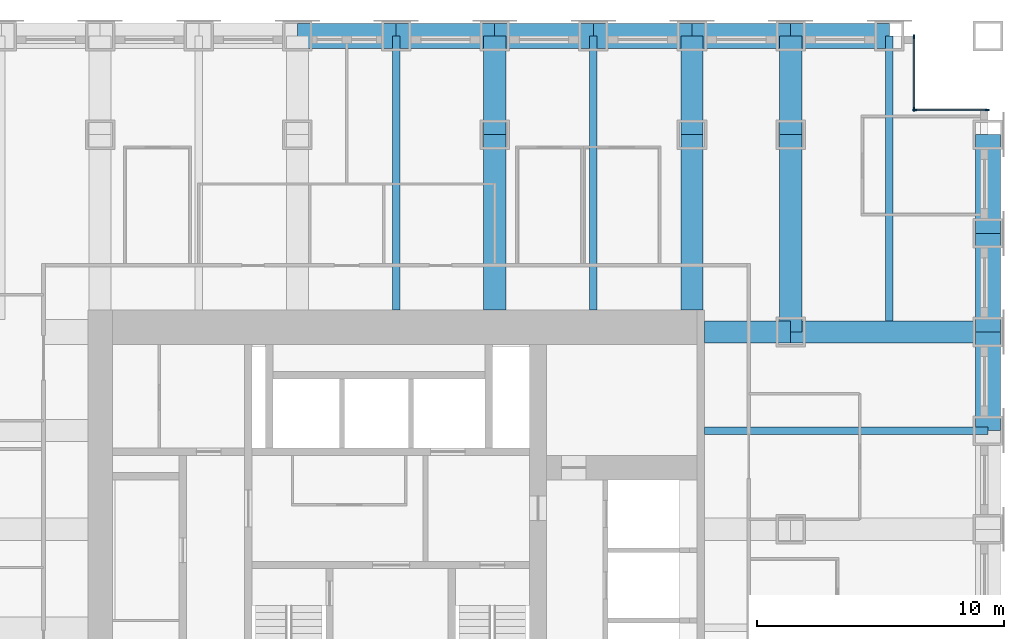
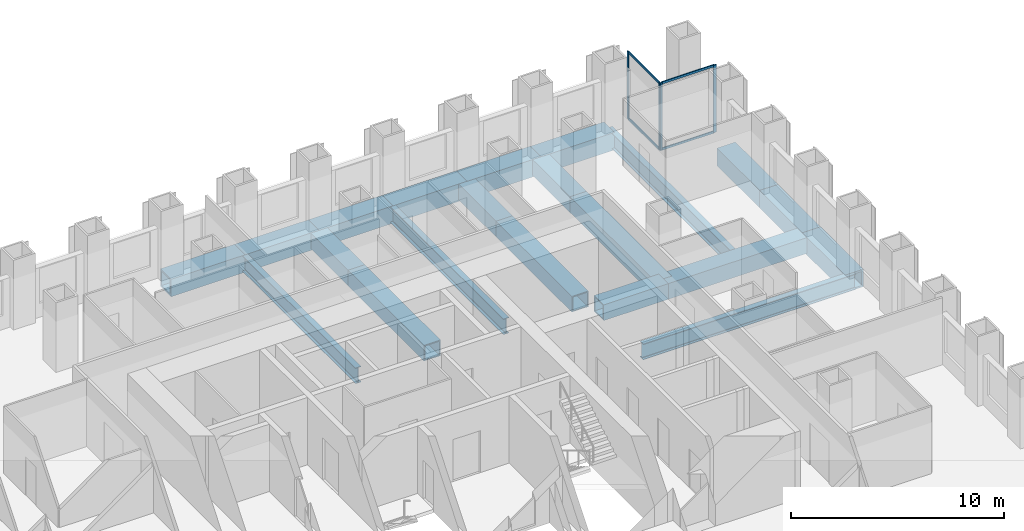
# One storey, part 6 of 14: 21 beams, 8 members, 2 elements without a shape of their own.
"""IFC4 building model written with IfcOpenShell, lengths in metres."""

import ifcopenshell
import ifcopenshell.guid

model = None  # the IFC model being written
_history = None  # IfcOwnerHistory: only IFC2X3 demands one
_inside = {}  # id of a spatial element -> (the spatial element, [elements in it])
_under = {}  # id of a project, library or spatial element -> (it, [spatial elements below it])
_declared = {}  # id of a project -> (the project, [libraries it declares])
_typed = {}  # id of a type object -> (the type object, [elements of that type])
_made_of = {}  # id of a material, layer set ... -> (it, [elements and type objects made of it])


def new_model(schema):
    """Start an empty IFC model of exactly this schema.

    Asked for "IFC4X3", IfcOpenShell would pick the latest addendum, in which some entities
    have other attributes; the version numbers below select the first issue.
    IFC2X3 requires an IfcOwnerHistory on every rooted entity: one is made here for all.
    """
    global model, _history
    if schema == "IFC4X3":
        model = ifcopenshell.file(schema_version=(4, 3, 0, 0))
    else:
        model = ifcopenshell.file(schema=schema)
    _inside.clear()
    _under.clear()
    _declared.clear()
    _typed.clear()
    _made_of.clear()
    _history = None
    if model.schema == "IFC2X3":
        org = make("IfcOrganization", Name="unknown")
        user = make(
            "IfcPersonAndOrganization",
            ThePerson=make("IfcPerson", FamilyName="unknown"),
            TheOrganization=org,
        )
        app = make(
            "IfcApplication",
            ApplicationDeveloper=org,
            Version="unknown",
            ApplicationFullName="unknown",
            ApplicationIdentifier="unknown",
        )
        _history = make(
            "IfcOwnerHistory",
            OwningUser=user,
            OwningApplication=app,
            ChangeAction="ADDED",
            CreationDate=0,
        )
    return model


def make(cls, **values):
    """One entity of the class cls with the attributes given. An attribute that is None is left unset."""
    return model.create_entity(
        cls, **{name: value for name, value in values.items() if value is not None}
    )


def rooted(cls, **values):
    """An entity with a GlobalId (a new one), such as an element, a storey or a relation."""
    return make(cls, GlobalId=ifcopenshell.guid.new(), OwnerHistory=_history, **values)


def si_unit(unit_type, name, prefix=None):
    """IfcSIUnit, for example si_unit("LENGTHUNIT", "METRE", prefix="MILLI")."""
    return make("IfcSIUnit", UnitType=unit_type, Prefix=prefix, Name=name)


def assignment(units):
    """IfcUnitAssignment: the units of a project."""
    return None if units is None else make("IfcUnitAssignment", Units=units)


def point(xyz):
    """IfcCartesianPoint."""
    return None if xyz is None else make("IfcCartesianPoint", Coordinates=xyz)


def direction(xyz):
    """IfcDirection."""
    return None if xyz is None else make("IfcDirection", DirectionRatios=xyz)


def frame(location, z_axis=None, x_axis=None):
    """IfcAxis2Placement3D, a coordinate frame: its origin and axes. An axis left out is left unset."""
    return make(
        "IfcAxis2Placement3D",
        Location=point(location),
        Axis=direction(z_axis),
        RefDirection=direction(x_axis),
    )


def frame_2d(location, x_axis=None):
    """IfcAxis2Placement2D, a coordinate frame in the plane: its origin and x axis."""
    return make(
        "IfcAxis2Placement2D", Location=point(location), RefDirection=direction(x_axis)
    )


def origin():
    """The frame at (0, 0, 0) with its axes left unset."""
    return frame((0.0, 0.0, 0.0))


def origin_2d():
    """The frame at (0, 0) in the plane with its x axis left unset."""
    return frame_2d((0.0, 0.0))


def place(relative_to, where):
    """IfcLocalPlacement: puts the frame where relative to a parent placement (None: the world)."""
    return make(
        "IfcLocalPlacement", PlacementRelTo=relative_to, RelativePlacement=where
    )


def context(
    kind, dimensions, precision=None, world=None, true_north=None, identifier=None
):
    """IfcGeometricRepresentationContext, for example the 3D "Model" context."""
    return make(
        "IfcGeometricRepresentationContext",
        ContextIdentifier=identifier,
        ContextType=kind,
        CoordinateSpaceDimension=dimensions,
        Precision=precision,
        WorldCoordinateSystem=world,
        TrueNorth=true_north,
    )


def subcontext(parent, identifier, kind, view, scale=None):
    """IfcGeometricRepresentationSubContext, for example "Body" below "Model"."""
    return make(
        "IfcGeometricRepresentationSubContext",
        ContextIdentifier=identifier,
        ContextType=kind,
        ParentContext=parent,
        TargetScale=scale,
        TargetView=view,
    )


def project(units=None, contexts=None):
    """IfcProject with its units and contexts."""
    return rooted(
        "IfcProject",
        Name="project",
        RepresentationContexts=contexts,
        UnitsInContext=assignment(units),
    )


def spatial(cls, under=None, at=None, **own):
    """A site, building, storey or space (cls), placed at a placement, below another one or the project."""
    s = rooted(cls, ObjectPlacement=at, **own)
    if under is not None:
        _under.setdefault(under.id(), (under, []))[1].append(s)
    return s


def profile(cls, at=None, kind="AREA", **sizes):
    """A parametric profile (cls). Its sizes go by their IFC names, for example OverallWidth=200.0."""
    return make(cls, ProfileType=kind, Position=at, **sizes)


def rectangle(**sizes):
    """IfcRectangleProfileDef."""
    return profile("IfcRectangleProfileDef", **sizes)


def hollow_rectangle(**sizes):
    """IfcRectangleHollowProfileDef."""
    return profile("IfcRectangleHollowProfileDef", **sizes)


def i_section(**sizes):
    """IfcIShapeProfileDef."""
    return profile("IfcIShapeProfileDef", **sizes)


def extrude(swept, where, along, depth):
    """IfcExtrudedAreaSolid: the profile swept, set in the frame where, extruded along a direction by depth."""
    return make(
        "IfcExtrudedAreaSolid",
        SweptArea=swept,
        Position=where,
        ExtrudedDirection=direction(along),
        Depth=depth,
    )


def shape(context_of_items, identifier, shape_type, items):
    """IfcShapeRepresentation: the items that make up one representation, for example the "Body"."""
    return make(
        "IfcShapeRepresentation",
        ContextOfItems=context_of_items,
        RepresentationIdentifier=identifier,
        RepresentationType=shape_type,
        Items=items,
    )


def material(Name=None, Category=None):
    """IfcMaterial."""
    return make("IfcMaterial", Name=Name, Category=Category)


def material_profile(
    of_material, cross_section, Name=None, Category=None, Priority=None
):
    """IfcMaterialProfile: a cross section and its material."""
    return make(
        "IfcMaterialProfile",
        Name=Name,
        Material=of_material,
        Profile=cross_section,
        Priority=Priority,
        Category=Category,
    )


def profile_set(profiles, Name=None, composite=None):
    """IfcMaterialProfileSet."""
    return make(
        "IfcMaterialProfileSet",
        Name=Name,
        MaterialProfiles=profiles,
        CompositeProfile=composite,
    )


def made_of(thing, what):
    """Note that an element or type object is made of a material, layer set ...; save() writes the relation."""
    if what is not None:
        _made_of.setdefault(what.id(), (what, []))[1].append(thing)
    return thing


def type_object(cls, material=None, **own):
    """A type object (cls), such as IfcWallType, which elements share."""
    return made_of(rooted(cls, **own), material)


def element(
    cls,
    number,
    at=None,
    inside=None,
    cuts=None,
    type_object=None,
    material=None,
    context=None,
    identifier="Body",
    shape_type=None,
    held_by="IfcProductDefinitionShape",
    body=None,
    shapes=None,
    **own,
):
    """One element of the class cls, such as IfcWall. Its Tag is "e" and its number.

    at: its placement. inside: the storey or other place that contains it. cuts: it is an
    opening in that element (IfcRelVoidsElement). A single representation is given by context,
    identifier, shape_type and body (its items); several are given by shapes. held_by: the class
    of the entity that holds the representations. save() writes the other relations.
    """
    e = rooted(cls, Tag="e%d" % number, ObjectPlacement=at, **own)
    if body is not None:
        shapes = [shape(context, identifier, shape_type, body)]
    if shapes is not None:
        e.Representation = make(held_by, Representations=shapes)
    if inside is not None:
        _inside.setdefault(inside.id(), (inside, []))[1].append(e)
    if cuts is not None:
        rooted(
            "IfcRelVoidsElement", RelatingBuildingElement=cuts, RelatedOpeningElement=e
        )
    if type_object is not None:
        _typed.setdefault(type_object.id(), (type_object, []))[1].append(e)
    return made_of(e, material)


def aggregate(whole, parts):
    """IfcRelAggregates: a whole, such as a stair, and the parts it consists of."""
    return rooted("IfcRelAggregates", RelatingObject=whole, RelatedObjects=parts)


def save(model, path):
    """Write the relations noted so far, then the file.

    IfcRelAggregates (storeys below a building ...), IfcRelContainedInSpatialStructure (elements
    in a storey), IfcRelDefinesByType, IfcRelAssociatesMaterial and IfcRelDeclares: one each for
    every whole, place, type object, material and project.
    """
    for whole, parts in _under.values():
        aggregate(whole, parts)
    for where, things in _inside.values():
        rooted(
            "IfcRelContainedInSpatialStructure",
            RelatedElements=things,
            RelatingStructure=where,
        )
    for kind, things in _typed.values():
        rooted("IfcRelDefinesByType", RelatedObjects=things, RelatingType=kind)
    for what, things in _made_of.values():
        rooted("IfcRelAssociatesMaterial", RelatedObjects=things, RelatingMaterial=what)
    for by, libraries in _declared.values():
        rooted("IfcRelDeclares", RelatingContext=by, RelatedDefinitions=libraries)
    model.write(path)


model = new_model("IFC4")

# Units and contexts
model_context = context("Model", 3, precision=1e-05, world=origin(), true_north=direction((0.0, 1.0)))
body_context = subcontext(model_context, "Body", "Model", "MODEL_VIEW")
ifc_project = project(units=[si_unit("LENGTHUNIT", "METRE"), si_unit("AREAUNIT", "SQUARE_METRE"), si_unit("VOLUMEUNIT", "CUBIC_METRE"), si_unit("PLANEANGLEUNIT", "RADIAN"), si_unit("MASSUNIT", "GRAM", prefix="KILO")], contexts=[model_context])

# Site, building, storey
site_placement = place(None, origin())
site = spatial("IfcSite", under=ifc_project, at=site_placement, CompositionType="ELEMENT")
building_placement = place(site_placement, origin())
building = spatial("IfcBuilding", under=site, at=building_placement, Name="Rimbunsela Tower", CompositionType="ELEMENT")
storey_placement = place(building_placement, frame((0.0, 0.0, 59.0)))
storey = spatial("IfcBuildingStorey", under=building, at=storey_placement, Name="L14", CompositionType="ELEMENT", Elevation=59.0)

# Beams
ifc_material_1 = material(Name="Steel BJ 55 (fy 410 MPa)", Category="steel")
ifc_material_profile_1 = material_profile(ifc_material_1, hollow_rectangle(XDim=1.0, YDim=1.0, WallThickness=0.10009765625, at=origin_2d()), Name="BOX 1000x1000x100")
ifc_profile_set_1 = profile_set([ifc_material_profile_1], Name="Steel BJ 55 (fy 410 MPa)")
beam_type_1 = type_object("IfcBeamType", Name="Beam BOX 1000x1000x100", PredefinedType="BEAM", material=ifc_profile_set_1)
for number, where, z_axis, x_axis, name in (
    (1, (26.0, 48.0, -0.64990234375), (1.0, 0.0, 0.0), (0.0, 1.0, 0.0), "Beam B3 L14"),
    (2, (30.0, 48.0, -0.64990234375), (1.0, 0.0, 0.0), (0.0, 1.0, 0.0), "Beam B3 L14"),
    (3, (34.0, 48.0, -0.64990234375), (1.0, 0.0, 0.0), (0.0, 1.0, 0.0), "Beam B3 L14"),
    (4, (38.0, 48.0, -0.64990234375), (1.0, 0.0, 0.0), (0.0, 1.0, 0.0), "Beam B3 L14"),
    (5, (42.0, 48.0, -0.64990234375), (1.0, 0.0, 0.0), (0.0, 1.0, 0.0), "Beam B3 L14"),
    (6, (46.0, 48.0, -0.64990234375), (1.0, 0.0, 0.0), (0.0, 1.0, 0.0), "Beam B3 L14"),
    (7, (54.0, 32.0, -0.64990234375), (0.0, 1.0, 0.0), (-1.0, 0.0, 0.0), "Beam B3 L14"),
    (8, (54.0, 36.0, -0.64990234375), (0.0, 1.0, 0.0), (-1.0, 0.0, 0.0), "Beam B3 L14"),
    (9, (54.0, 40.0, -0.64990234375), (0.0, 1.0, 0.0), (-1.0, 0.0, 0.0), "Beam B3 L14"),
):
    element("IfcBeam", number, at=place(storey_placement, frame(where, z_axis=z_axis, x_axis=x_axis)), inside=storey, type_object=beam_type_1, Name=name, PredefinedType="BEAM", context=body_context, shape_type="SweptSolid", body=[
        extrude(hollow_rectangle(XDim=1.0, YDim=1.0, WallThickness=0.10009765625, at=origin_2d()), origin(), (0.0, 0.0, 1.0), 4.0),
    ])
ifc_material_2 = material(Name="Steel BJ 55 (fy 410 MPa)", Category="steel")
ifc_material_profile_2 = material_profile(ifc_material_2, hollow_rectangle(XDim=0.89990234375, YDim=0.89990234375, WallThickness=0.06005859375, at=origin_2d()), Name="BOX 900x900x60")
ifc_profile_set_2 = profile_set([ifc_material_profile_2], Name="Steel BJ 55 (fy 410 MPa)")
beam_type_2 = type_object("IfcBeamType", Name="Beam BOX 900x900x60", PredefinedType="BEAM", material=ifc_profile_set_2)
beam_1_placement = place(storey_placement, frame((34.0, 36.89990234375, -0.60009765625), z_axis=(0.0, 1.0, 0.0), x_axis=(-1.0, 0.0, 0.0)))
element("IfcBeam", 10, at=beam_1_placement, inside=storey, type_object=beam_type_2, Name="Beam B1 L14", PredefinedType="BEAM", context=body_context, shape_type="SweptSolid", body=[
    extrude(hollow_rectangle(XDim=0.89990234375, YDim=0.89990234375, WallThickness=0.06005859375, at=origin_2d()), origin(), (0.0, 0.0, 1.0), 7.10009765625),
])
beam_2_placement = place(storey_placement, frame((34.0, 44.0, -0.60009765625), z_axis=(0.0, 1.0, 0.0), x_axis=(-1.0, 0.0, 0.0)))
element("IfcBeam", 11, at=beam_2_placement, inside=storey, type_object=beam_type_2, Name="Beam B1 L14", PredefinedType="BEAM", context=body_context, shape_type="SweptSolid", body=[
    extrude(hollow_rectangle(XDim=0.89990234375, YDim=0.89990234375, WallThickness=0.06005859375, at=origin_2d()), origin(), (0.0, 0.0, 1.0), 4.0),
])
beam_3_placement = place(storey_placement, frame((42.0, 36.89990234375, -0.60009765625), z_axis=(0.0, 1.0, 0.0), x_axis=(-1.0, 0.0, 0.0)))
element("IfcBeam", 12, at=beam_3_placement, inside=storey, type_object=beam_type_2, Name="Beam B1 L14", PredefinedType="BEAM", context=body_context, shape_type="SweptSolid", body=[
    extrude(hollow_rectangle(XDim=0.89990234375, YDim=0.89990234375, WallThickness=0.06005859375, at=origin_2d()), origin(), (0.0, 0.0, 1.0), 7.10009765625),
])
beam_4_placement = place(storey_placement, frame((42.0, 44.0, -0.60009765625), z_axis=(0.0, 1.0, 0.0), x_axis=(-1.0, 0.0, 0.0)))
element("IfcBeam", 13, at=beam_4_placement, inside=storey, type_object=beam_type_2, Name="Beam B1 L14", PredefinedType="BEAM", context=body_context, shape_type="SweptSolid", body=[
    extrude(hollow_rectangle(XDim=0.89990234375, YDim=0.89990234375, WallThickness=0.06005859375, at=origin_2d()), origin(), (0.0, 0.0, 1.0), 4.0),
])
beam_5_placement = place(storey_placement, frame((42.5, 36.0, -0.60009765625), z_axis=(1.0, 0.0, 0.0), x_axis=(0.0, 1.0, 0.0)))
element("IfcBeam", 14, at=beam_5_placement, inside=storey, type_object=beam_type_2, Name="Beam B1 L14", PredefinedType="BEAM", context=body_context, shape_type="SweptSolid", body=[
    extrude(hollow_rectangle(XDim=0.89990234375, YDim=0.89990234375, WallThickness=0.06005859375, at=origin_2d()), origin(), (0.0, 0.0, 1.0), 3.5),
])
for number, where, z_axis, x_axis, name in (
    (15, (46.0, 36.0, -0.60009765625), (0.0, 1.0, 0.0), (-1.0, 0.0, 0.0), "Beam B1 L14"),
    (16, (46.0, 36.0, -0.60009765625), (1.0, 0.0, 0.0), (0.0, 1.0, 0.0), "Beam B1 L14"),
):
    element("IfcBeam", number, at=place(storey_placement, frame(where, z_axis=z_axis, x_axis=x_axis)), inside=storey, type_object=beam_type_2, Name=name, PredefinedType="BEAM", context=body_context, shape_type="SweptSolid", body=[
        extrude(hollow_rectangle(XDim=0.89990234375, YDim=0.89990234375, WallThickness=0.06005859375, at=origin_2d()), origin(), (0.0, 0.0, 1.0), 8.0),
    ])
beam_6_placement = place(storey_placement, frame((46.0, 44.0, -0.60009765625), z_axis=(0.0, 1.0, 0.0), x_axis=(-1.0, 0.0, 0.0)))
element("IfcBeam", 17, at=beam_6_placement, inside=storey, type_object=beam_type_2, Name="Beam B1 L14", PredefinedType="BEAM", context=body_context, shape_type="SweptSolid", body=[
    extrude(hollow_rectangle(XDim=0.89990234375, YDim=0.89990234375, WallThickness=0.06005859375, at=origin_2d()), origin(), (0.0, 0.0, 1.0), 4.0),
])
ifc_material_3 = material(Name="Steel BJ 55 (fy 410 MPa)", Category="steel")
ifc_material_profile_3 = material_profile(ifc_material_3, i_section(OverallWidth=0.300048828125, OverallDepth=0.89990234375, WebThickness=0.01611328125, FlangeThickness=0.028076171875, FilletRadius=0.028076171875, at=origin_2d()), Name="H 900x300x16x28")
ifc_profile_set_3 = profile_set([ifc_material_profile_3], Name="Steel BJ 55 (fy 410 MPa)")
beam_type_3 = type_object("IfcBeamType", Name="Beam H 900x300x16x28", PredefinedType="BEAM", material=ifc_profile_set_3)
for number, where, z_axis, x_axis, name in (
    (18, (30.0, 36.89990234375, -0.60009765625), (0.0, 1.0, 0.0), (-1.0, 0.0, 0.0), "Beam B2 L14"),
    (19, (38.0, 36.89990234375, -0.60009765625), (0.0, 1.0, 0.0), (-1.0, 0.0, 0.0), "Beam B2 L14"),
):
    element("IfcBeam", number, at=place(storey_placement, frame(where, z_axis=z_axis, x_axis=x_axis)), inside=storey, type_object=beam_type_3, Name=name, PredefinedType="BEAM", context=body_context, shape_type="SweptSolid", body=[
        extrude(i_section(OverallWidth=0.300048828125, OverallDepth=0.89990234375, WebThickness=0.01611328125, FlangeThickness=0.028076171875, FilletRadius=0.028076171875, at=origin_2d()), origin(), (0.0, 0.0, 1.0), 11.10009765625),
    ])
beam_7_placement = place(storey_placement, frame((42.5, 32.0, -0.60009765625), z_axis=(1.0, 0.0, 0.0), x_axis=(0.0, 1.0, 0.0)))
element("IfcBeam", 20, at=beam_7_placement, inside=storey, type_object=beam_type_3, Name="Beam B2 L14", PredefinedType="BEAM", context=body_context, shape_type="SweptSolid", body=[
    extrude(i_section(OverallWidth=0.300048828125, OverallDepth=0.89990234375, WebThickness=0.01611328125, FlangeThickness=0.028076171875, FilletRadius=0.028076171875, at=origin_2d()), origin(), (0.0, 0.0, 1.0), 11.5),
])
beam_8_placement = place(storey_placement, frame((50.0, 36.449951171875, -0.60009765625), z_axis=(0.0, 1.0, 0.0), x_axis=(-1.0, 0.0, 0.0)))
element("IfcBeam", 21, at=beam_8_placement, inside=storey, type_object=beam_type_3, Name="Beam B2 L14", PredefinedType="BEAM", context=body_context, shape_type="SweptSolid", body=[
    extrude(i_section(OverallWidth=0.300048828125, OverallDepth=0.89990234375, WebThickness=0.01611328125, FlangeThickness=0.028076171875, FilletRadius=0.028076171875, at=origin_2d()), origin(), (0.0, 0.0, 1.0), 11.550048828125),
])

# Curtain wall, members
ifc_material_4 = material(Name="Aluminium curtain wall", Category="aluminium")
curtain_wall_type = type_object("IfcCurtainWallType", Name="Corner glazing", PredefinedType="USERDEFINED", material=ifc_material_4)
curtain_wall_1_placement = place(storey_placement, origin())
curtain_wall_1 = element("IfcCurtainWall", 22, at=curtain_wall_1_placement, inside=storey, type_object=curtain_wall_type, Name="Corner glazing L14", ObjectType="CORNER GLAZING", PredefinedType="USERDEFINED")
ifc_material_5 = material(Name="Aluminium mullion", Category="aluminium")
ifc_material_profile_4 = material_profile(ifc_material_5, rectangle(XDim=0.06005859375, YDim=0.159912109375, at=origin_2d()), Name="Mullion 60x160")
ifc_profile_set_4 = profile_set([ifc_material_profile_4], Name="Aluminium mullion")
member_type_1 = type_object("IfcMemberType", Name="Curtain wall mullion 60x160", PredefinedType="MULLION", material=ifc_profile_set_4)
member_1_placement = place(storey_placement, frame((53.969970703125, 45.0, 0.0), z_axis=(0.0, 0.0, 1.0), x_axis=(0.0, -1.0, 0.0)))
member_1 = element("IfcMember", 23, at=member_1_placement, type_object=member_type_1, Name="CW5 mullion 1", PredefinedType="MULLION", context=body_context, shape_type="SweptSolid", body=[
    extrude(rectangle(XDim=0.06005859375, YDim=0.159912109375, at=origin_2d()), origin(), (0.0, 0.0, 1.0), 3.85009765625),
])
member_2_placement = place(storey_placement, frame((51.030029296875, 45.0, 0.0), z_axis=(0.0, 0.0, 1.0), x_axis=(0.0, -1.0, 0.0)))
member_2 = element("IfcMember", 24, at=member_2_placement, type_object=member_type_1, Name="CW5 mullion 2", PredefinedType="MULLION", context=body_context, shape_type="SweptSolid", body=[
    extrude(rectangle(XDim=0.06005859375, YDim=0.159912109375, at=origin_2d()), origin(), (0.0, 0.0, 1.0), 3.85009765625),
])

curtain_wall_2_placement = place(storey_placement, origin())
curtain_wall_2 = element("IfcCurtainWall", 25, at=curtain_wall_2_placement, inside=storey, type_object=curtain_wall_type, Name="Corner glazing L14", ObjectType="CORNER GLAZING", PredefinedType="USERDEFINED")
member_3_placement = place(storey_placement, frame((51.0, 45.030029296875, 0.0), z_axis=(0.0, 0.0, 1.0), x_axis=(-1.0, 0.0, 0.0)))
member_3 = element("IfcMember", 26, at=member_3_placement, type_object=member_type_1, Name="CW5 mullion 1", PredefinedType="MULLION", context=body_context, shape_type="SweptSolid", body=[
    extrude(rectangle(XDim=0.06005859375, YDim=0.159912109375, at=origin_2d()), origin(), (0.0, 0.0, 1.0), 3.85009765625),
])
member_4_placement = place(storey_placement, frame((51.0, 47.969970703125, 0.0), z_axis=(0.0, 0.0, 1.0), x_axis=(-1.0, 0.0, 0.0)))
member_4 = element("IfcMember", 27, at=member_4_placement, type_object=member_type_1, Name="CW5 mullion 2", PredefinedType="MULLION", context=body_context, shape_type="SweptSolid", body=[
    extrude(rectangle(XDim=0.06005859375, YDim=0.159912109375, at=origin_2d()), origin(), (0.0, 0.0, 1.0), 3.85009765625),
])

# Member
ifc_material_6 = material(Name="Aluminium transom", Category="aluminium")
ifc_material_profile_5 = material_profile(ifc_material_6, rectangle(XDim=0.06005859375, YDim=0.1201171875, at=origin_2d()), Name="Transom 60x120")
ifc_profile_set_5 = profile_set([ifc_material_profile_5], Name="Aluminium transom")
member_type_2 = type_object("IfcMemberType", Name="Curtain wall transom 60x120", PredefinedType="USERDEFINED", material=ifc_profile_set_5)
member_5_placement = place(storey_placement, frame((53.93994140625, 45.0, 0.030029296875), z_axis=(-1.0, 0.0, 0.0), x_axis=(0.0, -1.0, 0.0)))
member_5 = element("IfcMember", 28, at=member_5_placement, type_object=member_type_2, Name="CW5 transom 1.1", ObjectType="TRANSOM", PredefinedType="USERDEFINED", context=body_context, shape_type="SweptSolid", body=[
    extrude(rectangle(XDim=0.06005859375, YDim=0.1201171875, at=origin_2d()), origin(), (0.0, 0.0, 1.0), 2.8798828125),
])

member_6_placement = place(storey_placement, frame((53.93994140625, 45.0, 3.820068359375), z_axis=(-1.0, 0.0, 0.0), x_axis=(0.0, -1.0, 0.0)))
member_6 = element("IfcMember", 29, at=member_6_placement, type_object=member_type_2, Name="CW5 transom 1.2", ObjectType="TRANSOM", PredefinedType="USERDEFINED", context=body_context, shape_type="SweptSolid", body=[
    extrude(rectangle(XDim=0.06005859375, YDim=0.1201171875, at=origin_2d()), origin(), (0.0, 0.0, 1.0), 2.8798828125),
])

aggregate(curtain_wall_1, [member_1, member_2, member_5, member_6])

member_7_placement = place(storey_placement, frame((51.0, 45.06005859375, 0.030029296875), z_axis=(0.0, 1.0, 0.0), x_axis=(-1.0, 0.0, 0.0)))
member_7 = element("IfcMember", 30, at=member_7_placement, type_object=member_type_2, Name="CW5 transom 1.1", ObjectType="TRANSOM", PredefinedType="USERDEFINED", context=body_context, shape_type="SweptSolid", body=[
    extrude(rectangle(XDim=0.06005859375, YDim=0.1201171875, at=origin_2d()), origin(), (0.0, 0.0, 1.0), 2.8798828125),
])

member_8_placement = place(storey_placement, frame((51.0, 45.06005859375, 3.820068359375), z_axis=(0.0, 1.0, 0.0), x_axis=(-1.0, 0.0, 0.0)))
member_8 = element("IfcMember", 31, at=member_8_placement, type_object=member_type_2, Name="CW5 transom 1.2", ObjectType="TRANSOM", PredefinedType="USERDEFINED", context=body_context, shape_type="SweptSolid", body=[
    extrude(rectangle(XDim=0.06005859375, YDim=0.1201171875, at=origin_2d()), origin(), (0.0, 0.0, 1.0), 2.8798828125),
])

aggregate(curtain_wall_2, [member_3, member_4, member_7, member_8])

save(model, "model.ifc")
